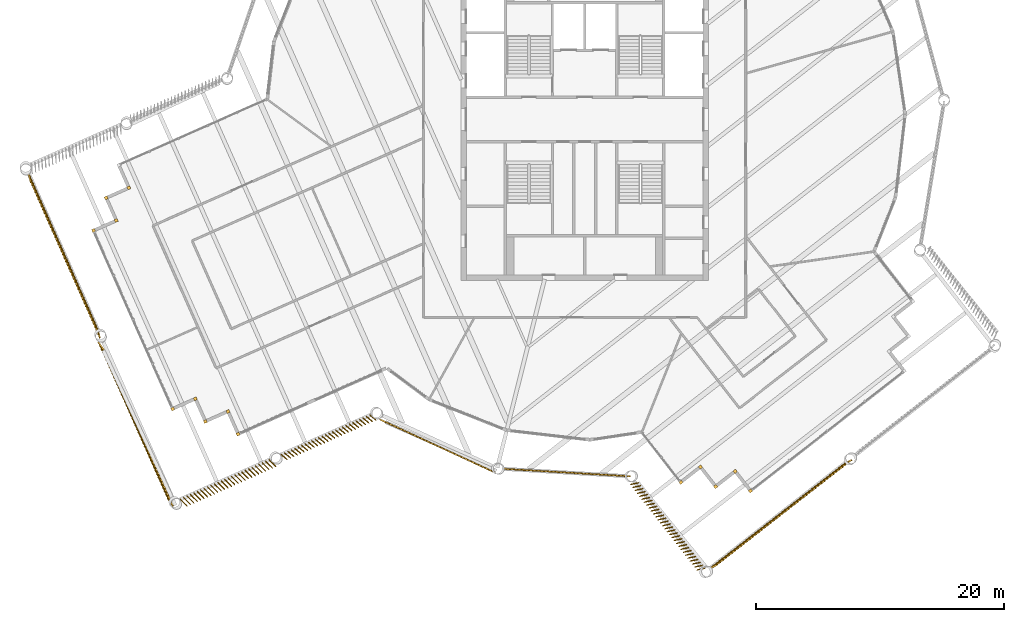
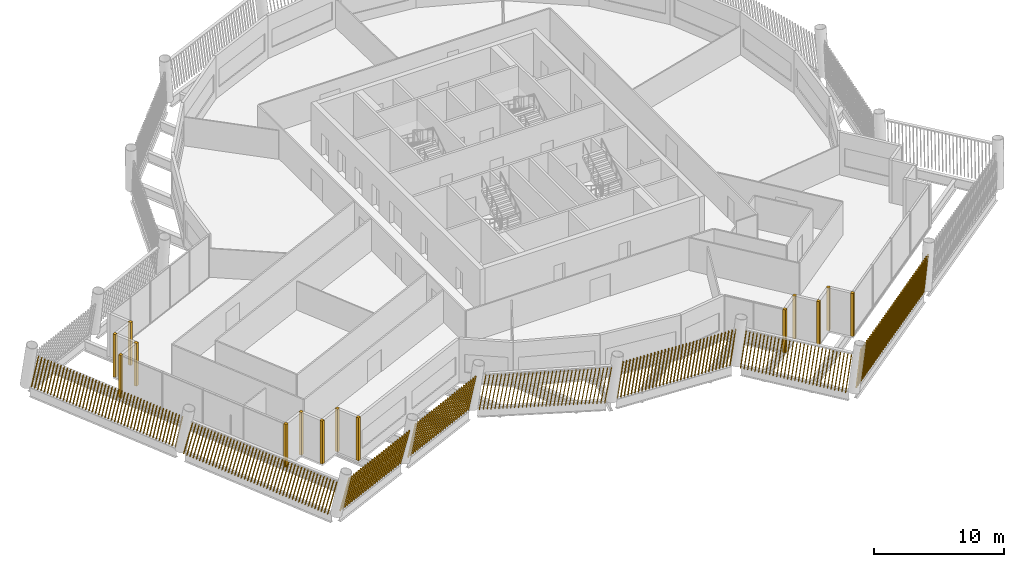
# One storey, part 24 of 28: 22 shading devices.
"""IFC4 building model written with IfcOpenShell, lengths in metres."""

from ifc_helpers import new_model, si_unit, direction, frame, frame_2d, origin, origin_2d, place, context, subcontext, project, spatial, rectangle, composite_profile, extrude, material, type_object, element, save


model = new_model("IFC4")

# Units and contexts
model_context = context("Model", 3, precision=1e-05, world=origin(), true_north=direction((0.0, 1.0)))
body_context = subcontext(model_context, "Body", "Model", "MODEL_VIEW")
ifc_project = project(units=[si_unit("LENGTHUNIT", "METRE"), si_unit("AREAUNIT", "SQUARE_METRE"), si_unit("VOLUMEUNIT", "CUBIC_METRE"), si_unit("PLANEANGLEUNIT", "RADIAN"), si_unit("MASSUNIT", "GRAM", prefix="KILO")], contexts=[model_context])

# Site, building, storey
site_placement = place(None, origin())
site = spatial("IfcSite", under=ifc_project, at=site_placement, CompositionType="ELEMENT")
building_placement = place(site_placement, origin())
building = spatial("IfcBuilding", under=site, at=building_placement, Name="Tarsis Ring Headquarters", CompositionType="ELEMENT")
storey_placement = place(building_placement, frame((0.0, 0.0, 381.800048828125)))
storey = spatial("IfcBuildingStorey", under=building, at=storey_placement, Name="L90", CompositionType="ELEMENT", Elevation=381.800048828125)

# Shading devices
ifc_material = material(Name="Terracotta baguette", Category="masonry")
shading_device_type_1 = type_object("IfcShadingDeviceType", Name="Terracotta baguette screen", PredefinedType="USERDEFINED", material=ifc_material)
shading_device_1_placement = place(storey_placement, frame((-6.567626953125, -28.205322265625, 0.0), z_axis=(0.0, 0.0, 1.0), x_axis=(0.99825104937, -0.059239456326, 0.0)))
element("IfcShadingDevice", 1, at=shading_device_1_placement, inside=storey, type_object=shading_device_type_1, Name="Baguette screen L90-00", ObjectType="Terracotta baguette screen", PredefinedType="USERDEFINED", context=body_context, shape_type="SweptSolid", body=[
    extrude(composite_profile([rectangle(XDim=0.06005859375, YDim=0.1201171875, at=frame_2d((0.030029296875, 0.0))), rectangle(XDim=0.06005859375, YDim=0.1201171875, at=frame_2d((0.33349609375, 0.0))), rectangle(XDim=0.06005859375, YDim=0.1201171875, at=frame_2d((0.636962890625, 0.0))), rectangle(XDim=0.06005859375, YDim=0.1201171875, at=frame_2d((0.9404296875, 0.0))), rectangle(XDim=0.06005859375, YDim=0.1201171875, at=frame_2d((1.243896484375, 0.0))), rectangle(XDim=0.06005859375, YDim=0.1201171875, at=frame_2d((1.54736328125, 0.0))), rectangle(XDim=0.06005859375, YDim=0.1201171875, at=frame_2d((1.850830078125, 0.0))), rectangle(XDim=0.06005859375, YDim=0.1201171875, at=frame_2d((2.154296875, 0.0))), rectangle(XDim=0.06005859375, YDim=0.1201171875, at=frame_2d((2.4580078125, 0.0))), rectangle(XDim=0.06005859375, YDim=0.1201171875, at=frame_2d((2.761474609375, 0.0))), rectangle(XDim=0.06005859375, YDim=0.1201171875, at=frame_2d((3.06494140625, 0.0))), rectangle(XDim=0.06005859375, YDim=0.1201171875, at=frame_2d((3.368408203125, 0.0))), rectangle(XDim=0.06005859375, YDim=0.1201171875, at=frame_2d((3.671875, 0.0))), rectangle(XDim=0.06005859375, YDim=0.1201171875, at=frame_2d((3.975341796875, 0.0))), rectangle(XDim=0.06005859375, YDim=0.1201171875, at=frame_2d((4.27880859375, 0.0))), rectangle(XDim=0.06005859375, YDim=0.1201171875, at=frame_2d((4.582275390625, 0.0))), rectangle(XDim=0.06005859375, YDim=0.1201171875, at=frame_2d((4.8857421875, 0.0))), rectangle(XDim=0.06005859375, YDim=0.1201171875, at=frame_2d((5.189208984375, 0.0))), rectangle(XDim=0.06005859375, YDim=0.1201171875, at=frame_2d((5.49267578125, 0.0))), rectangle(XDim=0.06005859375, YDim=0.1201171875, at=frame_2d((5.796142578125, 0.0))), rectangle(XDim=0.06005859375, YDim=0.1201171875, at=frame_2d((6.099609375, 0.0))), rectangle(XDim=0.06005859375, YDim=0.1201171875, at=frame_2d((6.403076171875, 0.0))), rectangle(XDim=0.06005859375, YDim=0.1201171875, at=frame_2d((6.70654296875, 0.0))), rectangle(XDim=0.06005859375, YDim=0.1201171875, at=frame_2d((7.010009765625, 0.0))), rectangle(XDim=0.06005859375, YDim=0.1201171875, at=frame_2d((7.3134765625, 0.0))), rectangle(XDim=0.06005859375, YDim=0.1201171875, at=frame_2d((7.6171875, 0.0))), rectangle(XDim=0.06005859375, YDim=0.1201171875, at=frame_2d((7.920654296875, 0.0))), rectangle(XDim=0.06005859375, YDim=0.1201171875, at=frame_2d((8.22412109375, 0.0))), rectangle(XDim=0.06005859375, YDim=0.1201171875, at=frame_2d((8.527587890625, 0.0))), rectangle(XDim=0.06005859375, YDim=0.1201171875, at=frame_2d((8.8310546875, 0.0))), rectangle(XDim=0.06005859375, YDim=0.1201171875, at=frame_2d((9.134521484375, 0.0))), rectangle(XDim=0.06005859375, YDim=0.1201171875, at=frame_2d((9.43798828125, 0.0))), rectangle(XDim=0.06005859375, YDim=0.1201171875, at=frame_2d((9.741455078125, 0.0)))]), origin(), (0.156000026989, 0.001418800041, 0.987756031916), 3.3212890625),
])
shading_device_2_placement = place(storey_placement, frame((3.697509765625, -29.438720703125, 0.0), z_axis=(0.0, 0.0, 1.0), x_axis=(0.614563402934, -0.788869478413, 0.0)))
element("IfcShadingDevice", 2, at=shading_device_2_placement, inside=storey, type_object=shading_device_type_1, Name="Baguette screen L90-01", ObjectType="Terracotta baguette screen", PredefinedType="USERDEFINED", context=body_context, shape_type="SweptSolid", body=[
    extrude(composite_profile([rectangle(XDim=0.06005859375, YDim=0.1201171875, at=frame_2d((0.030029296875, 0.0))), rectangle(XDim=0.06005859375, YDim=0.1201171875, at=frame_2d((0.33154296875, 0.0))), rectangle(XDim=0.06005859375, YDim=0.1201171875, at=frame_2d((0.633056640625, 0.0))), rectangle(XDim=0.06005859375, YDim=0.1201171875, at=frame_2d((0.9345703125, 0.0))), rectangle(XDim=0.06005859375, YDim=0.1201171875, at=frame_2d((1.236083984375, 0.0))), rectangle(XDim=0.06005859375, YDim=0.1201171875, at=frame_2d((1.53759765625, 0.0))), rectangle(XDim=0.06005859375, YDim=0.1201171875, at=frame_2d((1.839111328125, 0.0))), rectangle(XDim=0.06005859375, YDim=0.1201171875, at=frame_2d((2.140625, 0.0))), rectangle(XDim=0.06005859375, YDim=0.1201171875, at=frame_2d((2.442138671875, 0.0))), rectangle(XDim=0.06005859375, YDim=0.1201171875, at=frame_2d((2.74365234375, 0.0))), rectangle(XDim=0.06005859375, YDim=0.1201171875, at=frame_2d((3.045166015625, 0.0))), rectangle(XDim=0.06005859375, YDim=0.1201171875, at=frame_2d((3.3466796875, 0.0))), rectangle(XDim=0.06005859375, YDim=0.1201171875, at=frame_2d((3.648193359375, 0.0))), rectangle(XDim=0.06005859375, YDim=0.1201171875, at=frame_2d((3.94970703125, 0.0))), rectangle(XDim=0.06005859375, YDim=0.1201171875, at=frame_2d((4.251220703125, 0.0))), rectangle(XDim=0.06005859375, YDim=0.1201171875, at=frame_2d((4.552978515625, 0.0))), rectangle(XDim=0.06005859375, YDim=0.1201171875, at=frame_2d((4.8544921875, 0.0))), rectangle(XDim=0.06005859375, YDim=0.1201171875, at=frame_2d((5.156005859375, 0.0))), rectangle(XDim=0.06005859375, YDim=0.1201171875, at=frame_2d((5.45751953125, 0.0))), rectangle(XDim=0.06005859375, YDim=0.1201171875, at=frame_2d((5.759033203125, 0.0))), rectangle(XDim=0.06005859375, YDim=0.1201171875, at=frame_2d((6.060546875, 0.0))), rectangle(XDim=0.06005859375, YDim=0.1201171875, at=frame_2d((6.362060546875, 0.0))), rectangle(XDim=0.06005859375, YDim=0.1201171875, at=frame_2d((6.66357421875, 0.0))), rectangle(XDim=0.06005859375, YDim=0.1201171875, at=frame_2d((6.965087890625, 0.0))), rectangle(XDim=0.06005859375, YDim=0.1201171875, at=frame_2d((7.2666015625, 0.0))), rectangle(XDim=0.06005859375, YDim=0.1201171875, at=frame_2d((7.568115234375, 0.0))), rectangle(XDim=0.06005859375, YDim=0.1201171875, at=frame_2d((7.86962890625, 0.0))), rectangle(XDim=0.06005859375, YDim=0.1201171875, at=frame_2d((8.171142578125, 0.0))), rectangle(XDim=0.06005859375, YDim=0.1201171875, at=frame_2d((8.47265625, 0.0))), rectangle(XDim=0.06005859375, YDim=0.1201171875, at=frame_2d((8.774169921875, 0.0)))]), origin(), (0.081075931396, 0.163392447119, 0.983224085126), 3.33642578125),
])
shading_device_3_placement = place(storey_placement, frame((10.10595703125, -36.240966796875, 0.0), z_axis=(0.0, 0.0, 1.0), x_axis=(0.788868445262, 0.614570801783, 0.0)))
element("IfcShadingDevice", 3, at=shading_device_3_placement, inside=storey, type_object=shading_device_type_1, Name="Baguette screen L90-02", ObjectType="Terracotta baguette screen", PredefinedType="USERDEFINED", context=body_context, shape_type="SweptSolid", body=[
    extrude(composite_profile([rectangle(XDim=0.06005859375, YDim=0.1201171875, at=frame_2d((0.030029296875, 0.0))), rectangle(XDim=0.06005859375, YDim=0.1201171875, at=frame_2d((0.33544921875, 0.0))), rectangle(XDim=0.06005859375, YDim=0.1201171875, at=frame_2d((0.640625, 0.0))), rectangle(XDim=0.06005859375, YDim=0.1201171875, at=frame_2d((0.946044921875, 0.0))), rectangle(XDim=0.06005859375, YDim=0.1201171875, at=frame_2d((1.25146484375, 0.0))), rectangle(XDim=0.06005859375, YDim=0.1201171875, at=frame_2d((1.556640625, 0.0))), rectangle(XDim=0.06005859375, YDim=0.1201171875, at=frame_2d((1.862060546875, 0.0))), rectangle(XDim=0.06005859375, YDim=0.1201171875, at=frame_2d((2.16748046875, 0.0))), rectangle(XDim=0.06005859375, YDim=0.1201171875, at=frame_2d((2.47265625, 0.0))), rectangle(XDim=0.06005859375, YDim=0.1201171875, at=frame_2d((2.778076171875, 0.0))), rectangle(XDim=0.06005859375, YDim=0.1201171875, at=frame_2d((3.08349609375, 0.0))), rectangle(XDim=0.06005859375, YDim=0.1201171875, at=frame_2d((3.388671875, 0.0))), rectangle(XDim=0.06005859375, YDim=0.1201171875, at=frame_2d((3.694091796875, 0.0))), rectangle(XDim=0.06005859375, YDim=0.1201171875, at=frame_2d((3.99951171875, 0.0))), rectangle(XDim=0.06005859375, YDim=0.1201171875, at=frame_2d((4.3046875, 0.0))), rectangle(XDim=0.06005859375, YDim=0.1201171875, at=frame_2d((4.610107421875, 0.0))), rectangle(XDim=0.06005859375, YDim=0.1201171875, at=frame_2d((4.91552734375, 0.0))), rectangle(XDim=0.06005859375, YDim=0.1201171875, at=frame_2d((5.220703125, 0.0))), rectangle(XDim=0.06005859375, YDim=0.1201171875, at=frame_2d((5.526123046875, 0.0))), rectangle(XDim=0.06005859375, YDim=0.1201171875, at=frame_2d((5.83154296875, 0.0))), rectangle(XDim=0.06005859375, YDim=0.1201171875, at=frame_2d((6.13671875, 0.0))), rectangle(XDim=0.06005859375, YDim=0.1201171875, at=frame_2d((6.442138671875, 0.0))), rectangle(XDim=0.06005859375, YDim=0.1201171875, at=frame_2d((6.74755859375, 0.0))), rectangle(XDim=0.06005859375, YDim=0.1201171875, at=frame_2d((7.052734375, 0.0))), rectangle(XDim=0.06005859375, YDim=0.1201171875, at=frame_2d((7.358154296875, 0.0))), rectangle(XDim=0.06005859375, YDim=0.1201171875, at=frame_2d((7.66357421875, 0.0))), rectangle(XDim=0.06005859375, YDim=0.1201171875, at=frame_2d((7.96875, 0.0))), rectangle(XDim=0.06005859375, YDim=0.1201171875, at=frame_2d((8.274169921875, 0.0))), rectangle(XDim=0.06005859375, YDim=0.1201171875, at=frame_2d((8.57958984375, 0.0))), rectangle(XDim=0.06005859375, YDim=0.1201171875, at=frame_2d((8.884765625, 0.0))), rectangle(XDim=0.06005859375, YDim=0.1201171875, at=frame_2d((9.190185546875, 0.0))), rectangle(XDim=0.06005859375, YDim=0.1201171875, at=frame_2d((9.49560546875, 0.0))), rectangle(XDim=0.06005859375, YDim=0.1201171875, at=frame_2d((9.80078125, 0.0))), rectangle(XDim=0.06005859375, YDim=0.1201171875, at=frame_2d((10.106201171875, 0.0))), rectangle(XDim=0.06005859375, YDim=0.1201171875, at=frame_2d((10.41162109375, 0.0))), rectangle(XDim=0.06005859375, YDim=0.1201171875, at=frame_2d((10.716796875, 0.0))), rectangle(XDim=0.06005859375, YDim=0.1201171875, at=frame_2d((11.022216796875, 0.0))), rectangle(XDim=0.06005859375, YDim=0.1201171875, at=frame_2d((11.32763671875, 0.0))), rectangle(XDim=0.06005859375, YDim=0.1201171875, at=frame_2d((11.6328125, 0.0))), rectangle(XDim=0.06005859375, YDim=0.1201171875, at=frame_2d((11.938232421875, 0.0))), rectangle(XDim=0.06005859375, YDim=0.1201171875, at=frame_2d((12.24365234375, 0.0))), rectangle(XDim=0.06005859375, YDim=0.1201171875, at=frame_2d((12.548828125, 0.0))), rectangle(XDim=0.06005859375, YDim=0.1201171875, at=frame_2d((12.854248046875, 0.0))), rectangle(XDim=0.06005859375, YDim=0.1201171875, at=frame_2d((13.15966796875, 0.0))), rectangle(XDim=0.06005859375, YDim=0.1201171875, at=frame_2d((13.46484375, 0.0))), rectangle(XDim=0.06005859375, YDim=0.1201171875, at=frame_2d((13.770263671875, 0.0)))]), origin(), (0.189280726889, -0.038458815408, 0.981169570434), 3.343505859375),
])
shading_device_4_placement = place(storey_placement, frame((-44.922119140625, -4.281982421875, 0.0), z_axis=(0.0, 0.0, 1.0), x_axis=(0.405466607696, -0.914108801415, 0.0)))
element("IfcShadingDevice", 4, at=shading_device_4_placement, inside=storey, type_object=shading_device_type_1, Name="Baguette screen L90-15", ObjectType="Terracotta baguette screen", PredefinedType="USERDEFINED", context=body_context, shape_type="SweptSolid", body=[
    extrude(composite_profile([rectangle(XDim=0.06005859375, YDim=0.1201171875, at=frame_2d((0.030029296875, 0.0))), rectangle(XDim=0.06005859375, YDim=0.1201171875, at=frame_2d((0.33544921875, 0.0))), rectangle(XDim=0.06005859375, YDim=0.1201171875, at=frame_2d((0.640625, 0.0))), rectangle(XDim=0.06005859375, YDim=0.1201171875, at=frame_2d((0.946044921875, 0.0))), rectangle(XDim=0.06005859375, YDim=0.1201171875, at=frame_2d((1.25146484375, 0.0))), rectangle(XDim=0.06005859375, YDim=0.1201171875, at=frame_2d((1.556640625, 0.0))), rectangle(XDim=0.06005859375, YDim=0.1201171875, at=frame_2d((1.862060546875, 0.0))), rectangle(XDim=0.06005859375, YDim=0.1201171875, at=frame_2d((2.16748046875, 0.0))), rectangle(XDim=0.06005859375, YDim=0.1201171875, at=frame_2d((2.47265625, 0.0))), rectangle(XDim=0.06005859375, YDim=0.1201171875, at=frame_2d((2.778076171875, 0.0))), rectangle(XDim=0.06005859375, YDim=0.1201171875, at=frame_2d((3.08349609375, 0.0))), rectangle(XDim=0.06005859375, YDim=0.1201171875, at=frame_2d((3.388671875, 0.0))), rectangle(XDim=0.06005859375, YDim=0.1201171875, at=frame_2d((3.694091796875, 0.0))), rectangle(XDim=0.06005859375, YDim=0.1201171875, at=frame_2d((3.99951171875, 0.0))), rectangle(XDim=0.06005859375, YDim=0.1201171875, at=frame_2d((4.3046875, 0.0))), rectangle(XDim=0.06005859375, YDim=0.1201171875, at=frame_2d((4.610107421875, 0.0))), rectangle(XDim=0.06005859375, YDim=0.1201171875, at=frame_2d((4.91552734375, 0.0))), rectangle(XDim=0.06005859375, YDim=0.1201171875, at=frame_2d((5.220703125, 0.0))), rectangle(XDim=0.06005859375, YDim=0.1201171875, at=frame_2d((5.526123046875, 0.0))), rectangle(XDim=0.06005859375, YDim=0.1201171875, at=frame_2d((5.83154296875, 0.0))), rectangle(XDim=0.06005859375, YDim=0.1201171875, at=frame_2d((6.13671875, 0.0))), rectangle(XDim=0.06005859375, YDim=0.1201171875, at=frame_2d((6.442138671875, 0.0))), rectangle(XDim=0.06005859375, YDim=0.1201171875, at=frame_2d((6.74755859375, 0.0))), rectangle(XDim=0.06005859375, YDim=0.1201171875, at=frame_2d((7.052734375, 0.0))), rectangle(XDim=0.06005859375, YDim=0.1201171875, at=frame_2d((7.358154296875, 0.0))), rectangle(XDim=0.06005859375, YDim=0.1201171875, at=frame_2d((7.66357421875, 0.0))), rectangle(XDim=0.06005859375, YDim=0.1201171875, at=frame_2d((7.96875, 0.0))), rectangle(XDim=0.06005859375, YDim=0.1201171875, at=frame_2d((8.274169921875, 0.0))), rectangle(XDim=0.06005859375, YDim=0.1201171875, at=frame_2d((8.57958984375, 0.0))), rectangle(XDim=0.06005859375, YDim=0.1201171875, at=frame_2d((8.884765625, 0.0))), rectangle(XDim=0.06005859375, YDim=0.1201171875, at=frame_2d((9.190185546875, 0.0))), rectangle(XDim=0.06005859375, YDim=0.1201171875, at=frame_2d((9.49560546875, 0.0))), rectangle(XDim=0.06005859375, YDim=0.1201171875, at=frame_2d((9.80078125, 0.0))), rectangle(XDim=0.06005859375, YDim=0.1201171875, at=frame_2d((10.106201171875, 0.0))), rectangle(XDim=0.06005859375, YDim=0.1201171875, at=frame_2d((10.41162109375, 0.0))), rectangle(XDim=0.06005859375, YDim=0.1201171875, at=frame_2d((10.716796875, 0.0))), rectangle(XDim=0.06005859375, YDim=0.1201171875, at=frame_2d((11.022216796875, 0.0))), rectangle(XDim=0.06005859375, YDim=0.1201171875, at=frame_2d((11.32763671875, 0.0))), rectangle(XDim=0.06005859375, YDim=0.1201171875, at=frame_2d((11.6328125, 0.0))), rectangle(XDim=0.06005859375, YDim=0.1201171875, at=frame_2d((11.938232421875, 0.0))), rectangle(XDim=0.06005859375, YDim=0.1201171875, at=frame_2d((12.24365234375, 0.0))), rectangle(XDim=0.06005859375, YDim=0.1201171875, at=frame_2d((12.548828125, 0.0))), rectangle(XDim=0.06005859375, YDim=0.1201171875, at=frame_2d((12.854248046875, 0.0))), rectangle(XDim=0.06005859375, YDim=0.1201171875, at=frame_2d((13.15966796875, 0.0))), rectangle(XDim=0.06005859375, YDim=0.1201171875, at=frame_2d((13.46484375, 0.0))), rectangle(XDim=0.06005859375, YDim=0.1201171875, at=frame_2d((13.770263671875, 0.0)))]), origin(), (0.230608645647, -0.037720847619, 0.972315170203), 3.3740234375),
])
shading_device_5_placement = place(storey_placement, frame((-39.26416015625, -17.962890625, 0.0), z_axis=(0.0, 0.0, 1.0), x_axis=(0.405466607696, -0.914108801415, 0.0)))
element("IfcShadingDevice", 5, at=shading_device_5_placement, inside=storey, type_object=shading_device_type_1, Name="Baguette screen L90-16", ObjectType="Terracotta baguette screen", PredefinedType="USERDEFINED", context=body_context, shape_type="SweptSolid", body=[
    extrude(composite_profile([rectangle(XDim=0.06005859375, YDim=0.1201171875, at=frame_2d((0.030029296875, 0.0))), rectangle(XDim=0.06005859375, YDim=0.1201171875, at=frame_2d((0.33544921875, 0.0))), rectangle(XDim=0.06005859375, YDim=0.1201171875, at=frame_2d((0.640625, 0.0))), rectangle(XDim=0.06005859375, YDim=0.1201171875, at=frame_2d((0.946044921875, 0.0))), rectangle(XDim=0.06005859375, YDim=0.1201171875, at=frame_2d((1.25146484375, 0.0))), rectangle(XDim=0.06005859375, YDim=0.1201171875, at=frame_2d((1.556640625, 0.0))), rectangle(XDim=0.06005859375, YDim=0.1201171875, at=frame_2d((1.862060546875, 0.0))), rectangle(XDim=0.06005859375, YDim=0.1201171875, at=frame_2d((2.16748046875, 0.0))), rectangle(XDim=0.06005859375, YDim=0.1201171875, at=frame_2d((2.47265625, 0.0))), rectangle(XDim=0.06005859375, YDim=0.1201171875, at=frame_2d((2.778076171875, 0.0))), rectangle(XDim=0.06005859375, YDim=0.1201171875, at=frame_2d((3.08349609375, 0.0))), rectangle(XDim=0.06005859375, YDim=0.1201171875, at=frame_2d((3.388671875, 0.0))), rectangle(XDim=0.06005859375, YDim=0.1201171875, at=frame_2d((3.694091796875, 0.0))), rectangle(XDim=0.06005859375, YDim=0.1201171875, at=frame_2d((3.99951171875, 0.0))), rectangle(XDim=0.06005859375, YDim=0.1201171875, at=frame_2d((4.3046875, 0.0))), rectangle(XDim=0.06005859375, YDim=0.1201171875, at=frame_2d((4.610107421875, 0.0))), rectangle(XDim=0.06005859375, YDim=0.1201171875, at=frame_2d((4.91552734375, 0.0))), rectangle(XDim=0.06005859375, YDim=0.1201171875, at=frame_2d((5.220703125, 0.0))), rectangle(XDim=0.06005859375, YDim=0.1201171875, at=frame_2d((5.526123046875, 0.0))), rectangle(XDim=0.06005859375, YDim=0.1201171875, at=frame_2d((5.83154296875, 0.0))), rectangle(XDim=0.06005859375, YDim=0.1201171875, at=frame_2d((6.13671875, 0.0))), rectangle(XDim=0.06005859375, YDim=0.1201171875, at=frame_2d((6.442138671875, 0.0))), rectangle(XDim=0.06005859375, YDim=0.1201171875, at=frame_2d((6.74755859375, 0.0))), rectangle(XDim=0.06005859375, YDim=0.1201171875, at=frame_2d((7.052734375, 0.0))), rectangle(XDim=0.06005859375, YDim=0.1201171875, at=frame_2d((7.358154296875, 0.0))), rectangle(XDim=0.06005859375, YDim=0.1201171875, at=frame_2d((7.66357421875, 0.0))), rectangle(XDim=0.06005859375, YDim=0.1201171875, at=frame_2d((7.96875, 0.0))), rectangle(XDim=0.06005859375, YDim=0.1201171875, at=frame_2d((8.274169921875, 0.0))), rectangle(XDim=0.06005859375, YDim=0.1201171875, at=frame_2d((8.57958984375, 0.0))), rectangle(XDim=0.06005859375, YDim=0.1201171875, at=frame_2d((8.884765625, 0.0))), rectangle(XDim=0.06005859375, YDim=0.1201171875, at=frame_2d((9.190185546875, 0.0))), rectangle(XDim=0.06005859375, YDim=0.1201171875, at=frame_2d((9.49560546875, 0.0))), rectangle(XDim=0.06005859375, YDim=0.1201171875, at=frame_2d((9.80078125, 0.0))), rectangle(XDim=0.06005859375, YDim=0.1201171875, at=frame_2d((10.106201171875, 0.0))), rectangle(XDim=0.06005859375, YDim=0.1201171875, at=frame_2d((10.41162109375, 0.0))), rectangle(XDim=0.06005859375, YDim=0.1201171875, at=frame_2d((10.716796875, 0.0))), rectangle(XDim=0.06005859375, YDim=0.1201171875, at=frame_2d((11.022216796875, 0.0))), rectangle(XDim=0.06005859375, YDim=0.1201171875, at=frame_2d((11.32763671875, 0.0))), rectangle(XDim=0.06005859375, YDim=0.1201171875, at=frame_2d((11.6328125, 0.0))), rectangle(XDim=0.06005859375, YDim=0.1201171875, at=frame_2d((11.938232421875, 0.0))), rectangle(XDim=0.06005859375, YDim=0.1201171875, at=frame_2d((12.24365234375, 0.0))), rectangle(XDim=0.06005859375, YDim=0.1201171875, at=frame_2d((12.548828125, 0.0))), rectangle(XDim=0.06005859375, YDim=0.1201171875, at=frame_2d((12.854248046875, 0.0))), rectangle(XDim=0.06005859375, YDim=0.1201171875, at=frame_2d((13.15966796875, 0.0))), rectangle(XDim=0.06005859375, YDim=0.1201171875, at=frame_2d((13.46484375, 0.0))), rectangle(XDim=0.06005859375, YDim=0.1201171875, at=frame_2d((13.770263671875, 0.0)))]), origin(), (0.231795846605, 0.041896071259, 0.971861823877), 3.37548828125),
])
shading_device_6_placement = place(storey_placement, frame((-32.666259765625, -30.679931640625, 0.0), z_axis=(0.0, 0.0, 1.0), x_axis=(0.914112703905, 0.405462184874, 0.0)))
element("IfcShadingDevice", 6, at=shading_device_6_placement, inside=storey, type_object=shading_device_type_1, Name="Baguette screen L90-17", ObjectType="Terracotta baguette screen", PredefinedType="USERDEFINED", context=body_context, shape_type="SweptSolid", body=[
    extrude(composite_profile([rectangle(XDim=0.06005859375, YDim=0.1201171875, at=frame_2d((0.030029296875, 0.0))), rectangle(XDim=0.06005859375, YDim=0.1201171875, at=frame_2d((0.33154296875, 0.0))), rectangle(XDim=0.06005859375, YDim=0.1201171875, at=frame_2d((0.63330078125, 0.0))), rectangle(XDim=0.06005859375, YDim=0.1201171875, at=frame_2d((0.934814453125, 0.0))), rectangle(XDim=0.06005859375, YDim=0.1201171875, at=frame_2d((1.236572265625, 0.0))), rectangle(XDim=0.06005859375, YDim=0.1201171875, at=frame_2d((1.5380859375, 0.0))), rectangle(XDim=0.06005859375, YDim=0.1201171875, at=frame_2d((1.83984375, 0.0))), rectangle(XDim=0.06005859375, YDim=0.1201171875, at=frame_2d((2.141357421875, 0.0))), rectangle(XDim=0.06005859375, YDim=0.1201171875, at=frame_2d((2.443115234375, 0.0))), rectangle(XDim=0.06005859375, YDim=0.1201171875, at=frame_2d((2.74462890625, 0.0))), rectangle(XDim=0.06005859375, YDim=0.1201171875, at=frame_2d((3.04638671875, 0.0))), rectangle(XDim=0.06005859375, YDim=0.1201171875, at=frame_2d((3.347900390625, 0.0))), rectangle(XDim=0.06005859375, YDim=0.1201171875, at=frame_2d((3.649658203125, 0.0))), rectangle(XDim=0.06005859375, YDim=0.1201171875, at=frame_2d((3.951171875, 0.0))), rectangle(XDim=0.06005859375, YDim=0.1201171875, at=frame_2d((4.252685546875, 0.0))), rectangle(XDim=0.06005859375, YDim=0.1201171875, at=frame_2d((4.554443359375, 0.0))), rectangle(XDim=0.06005859375, YDim=0.1201171875, at=frame_2d((4.85595703125, 0.0))), rectangle(XDim=0.06005859375, YDim=0.1201171875, at=frame_2d((5.15771484375, 0.0))), rectangle(XDim=0.06005859375, YDim=0.1201171875, at=frame_2d((5.459228515625, 0.0))), rectangle(XDim=0.06005859375, YDim=0.1201171875, at=frame_2d((5.760986328125, 0.0))), rectangle(XDim=0.06005859375, YDim=0.1201171875, at=frame_2d((6.0625, 0.0))), rectangle(XDim=0.06005859375, YDim=0.1201171875, at=frame_2d((6.3642578125, 0.0))), rectangle(XDim=0.06005859375, YDim=0.1201171875, at=frame_2d((6.665771484375, 0.0))), rectangle(XDim=0.06005859375, YDim=0.1201171875, at=frame_2d((6.967529296875, 0.0))), rectangle(XDim=0.06005859375, YDim=0.1201171875, at=frame_2d((7.26904296875, 0.0))), rectangle(XDim=0.06005859375, YDim=0.1201171875, at=frame_2d((7.57080078125, 0.0))), rectangle(XDim=0.06005859375, YDim=0.1201171875, at=frame_2d((7.872314453125, 0.0)))]), origin(), (0.081723750148, -0.206168311987, 0.975097869854), 3.3642578125),
])
shading_device_7_placement = place(storey_placement, frame((-24.528564453125, -27.0703125, 0.0), z_axis=(0.0, 0.0, 1.0), x_axis=(0.914112703905, 0.405462184874, 0.0)))
element("IfcShadingDevice", 7, at=shading_device_7_placement, inside=storey, type_object=shading_device_type_1, Name="Baguette screen L90-18", ObjectType="Terracotta baguette screen", PredefinedType="USERDEFINED", context=body_context, shape_type="SweptSolid", body=[
    extrude(composite_profile([rectangle(XDim=0.06005859375, YDim=0.1201171875, at=frame_2d((0.030029296875, 0.0))), rectangle(XDim=0.06005859375, YDim=0.1201171875, at=frame_2d((0.33154296875, 0.0))), rectangle(XDim=0.06005859375, YDim=0.1201171875, at=frame_2d((0.63330078125, 0.0))), rectangle(XDim=0.06005859375, YDim=0.1201171875, at=frame_2d((0.934814453125, 0.0))), rectangle(XDim=0.06005859375, YDim=0.1201171875, at=frame_2d((1.236572265625, 0.0))), rectangle(XDim=0.06005859375, YDim=0.1201171875, at=frame_2d((1.5380859375, 0.0))), rectangle(XDim=0.06005859375, YDim=0.1201171875, at=frame_2d((1.83984375, 0.0))), rectangle(XDim=0.06005859375, YDim=0.1201171875, at=frame_2d((2.141357421875, 0.0))), rectangle(XDim=0.06005859375, YDim=0.1201171875, at=frame_2d((2.443115234375, 0.0))), rectangle(XDim=0.06005859375, YDim=0.1201171875, at=frame_2d((2.74462890625, 0.0))), rectangle(XDim=0.06005859375, YDim=0.1201171875, at=frame_2d((3.04638671875, 0.0))), rectangle(XDim=0.06005859375, YDim=0.1201171875, at=frame_2d((3.347900390625, 0.0))), rectangle(XDim=0.06005859375, YDim=0.1201171875, at=frame_2d((3.649658203125, 0.0))), rectangle(XDim=0.06005859375, YDim=0.1201171875, at=frame_2d((3.951171875, 0.0))), rectangle(XDim=0.06005859375, YDim=0.1201171875, at=frame_2d((4.252685546875, 0.0))), rectangle(XDim=0.06005859375, YDim=0.1201171875, at=frame_2d((4.554443359375, 0.0))), rectangle(XDim=0.06005859375, YDim=0.1201171875, at=frame_2d((4.85595703125, 0.0))), rectangle(XDim=0.06005859375, YDim=0.1201171875, at=frame_2d((5.15771484375, 0.0))), rectangle(XDim=0.06005859375, YDim=0.1201171875, at=frame_2d((5.459228515625, 0.0))), rectangle(XDim=0.06005859375, YDim=0.1201171875, at=frame_2d((5.760986328125, 0.0))), rectangle(XDim=0.06005859375, YDim=0.1201171875, at=frame_2d((6.0625, 0.0))), rectangle(XDim=0.06005859375, YDim=0.1201171875, at=frame_2d((6.3642578125, 0.0))), rectangle(XDim=0.06005859375, YDim=0.1201171875, at=frame_2d((6.665771484375, 0.0))), rectangle(XDim=0.06005859375, YDim=0.1201171875, at=frame_2d((6.967529296875, 0.0))), rectangle(XDim=0.06005859375, YDim=0.1201171875, at=frame_2d((7.26904296875, 0.0))), rectangle(XDim=0.06005859375, YDim=0.1201171875, at=frame_2d((7.57080078125, 0.0))), rectangle(XDim=0.06005859375, YDim=0.1201171875, at=frame_2d((7.872314453125, 0.0)))]), origin(), (0.082011375856, -0.159548244154, 0.983777663915), 3.334716796875),
])
shading_device_8_placement = place(storey_placement, frame((-16.551025390625, -24.213623046875, 0.0), z_axis=(0.0, 0.0, 1.0), x_axis=(0.9080324797, -0.418888194878, 0.0)))
element("IfcShadingDevice", 8, at=shading_device_8_placement, inside=storey, type_object=shading_device_type_1, Name="Baguette screen L90-19", ObjectType="Terracotta baguette screen", PredefinedType="USERDEFINED", context=body_context, shape_type="SweptSolid", body=[
    extrude(composite_profile([rectangle(XDim=0.06005859375, YDim=0.1201171875, at=frame_2d((0.030029296875, 0.0))), rectangle(XDim=0.06005859375, YDim=0.1201171875, at=frame_2d((0.33349609375, 0.0))), rectangle(XDim=0.06005859375, YDim=0.1201171875, at=frame_2d((0.636962890625, 0.0))), rectangle(XDim=0.06005859375, YDim=0.1201171875, at=frame_2d((0.9404296875, 0.0))), rectangle(XDim=0.06005859375, YDim=0.1201171875, at=frame_2d((1.243896484375, 0.0))), rectangle(XDim=0.06005859375, YDim=0.1201171875, at=frame_2d((1.54736328125, 0.0))), rectangle(XDim=0.06005859375, YDim=0.1201171875, at=frame_2d((1.85107421875, 0.0))), rectangle(XDim=0.06005859375, YDim=0.1201171875, at=frame_2d((2.154541015625, 0.0))), rectangle(XDim=0.06005859375, YDim=0.1201171875, at=frame_2d((2.4580078125, 0.0))), rectangle(XDim=0.06005859375, YDim=0.1201171875, at=frame_2d((2.761474609375, 0.0))), rectangle(XDim=0.06005859375, YDim=0.1201171875, at=frame_2d((3.06494140625, 0.0))), rectangle(XDim=0.06005859375, YDim=0.1201171875, at=frame_2d((3.368408203125, 0.0))), rectangle(XDim=0.06005859375, YDim=0.1201171875, at=frame_2d((3.671875, 0.0))), rectangle(XDim=0.06005859375, YDim=0.1201171875, at=frame_2d((3.975341796875, 0.0))), rectangle(XDim=0.06005859375, YDim=0.1201171875, at=frame_2d((4.27880859375, 0.0))), rectangle(XDim=0.06005859375, YDim=0.1201171875, at=frame_2d((4.582275390625, 0.0))), rectangle(XDim=0.06005859375, YDim=0.1201171875, at=frame_2d((4.8857421875, 0.0))), rectangle(XDim=0.06005859375, YDim=0.1201171875, at=frame_2d((5.189453125, 0.0))), rectangle(XDim=0.06005859375, YDim=0.1201171875, at=frame_2d((5.492919921875, 0.0))), rectangle(XDim=0.06005859375, YDim=0.1201171875, at=frame_2d((5.79638671875, 0.0))), rectangle(XDim=0.06005859375, YDim=0.1201171875, at=frame_2d((6.099853515625, 0.0))), rectangle(XDim=0.06005859375, YDim=0.1201171875, at=frame_2d((6.4033203125, 0.0))), rectangle(XDim=0.06005859375, YDim=0.1201171875, at=frame_2d((6.706787109375, 0.0))), rectangle(XDim=0.06005859375, YDim=0.1201171875, at=frame_2d((7.01025390625, 0.0))), rectangle(XDim=0.06005859375, YDim=0.1201171875, at=frame_2d((7.313720703125, 0.0))), rectangle(XDim=0.06005859375, YDim=0.1201171875, at=frame_2d((7.6171875, 0.0))), rectangle(XDim=0.06005859375, YDim=0.1201171875, at=frame_2d((7.920654296875, 0.0))), rectangle(XDim=0.06005859375, YDim=0.1201171875, at=frame_2d((8.224365234375, 0.0))), rectangle(XDim=0.06005859375, YDim=0.1201171875, at=frame_2d((8.52783203125, 0.0))), rectangle(XDim=0.06005859375, YDim=0.1201171875, at=frame_2d((8.831298828125, 0.0))), rectangle(XDim=0.06005859375, YDim=0.1201171875, at=frame_2d((9.134765625, 0.0))), rectangle(XDim=0.06005859375, YDim=0.1201171875, at=frame_2d((9.438232421875, 0.0))), rectangle(XDim=0.06005859375, YDim=0.1201171875, at=frame_2d((9.74169921875, 0.0)))]), origin(), (0.157996839108, 0.001432547505, 0.987438578667), 3.322265625),
])
shading_device_type_2 = type_object("IfcShadingDeviceType", Name="Terracotta corner baguette 250x250", PredefinedType="USERDEFINED", material=ifc_material)
for number, where, z_axis, x_axis, name in (
    (9, (-27.97900390625, -25.40087890625, 0.0), (0.0, 0.0, 1.0), (0.405460936239, -0.914112372296, 0.0), "Corner baguette L90-01"),
    (10, (7.762939453125, -29.28759765625, 0.0), (0.0, 0.0, 1.0), (0.614560536134, -0.78886966441, 0.0), "Corner baguette L90-07"),
    (11, (9.3408203125, -28.05859375, 0.0), (0.0, 0.0, 1.0), (0.788869621506, 0.614560591208, 0.0), "Corner baguette L90-08"),
    (12, (10.56982421875, -29.63623046875, 0.0), (0.0, 0.0, 1.0), (0.61456066005, -0.788869567875, 0.0), "Corner baguette L90-09"),
    (13, (12.147705078125, -28.4072265625, 0.0), (0.0, 0.0, 1.0), (0.788869567875, 0.61456066005, 0.0), "Corner baguette L90-10"),
    (14, (13.376708984375, -29.98486328125, 0.0), (0.0, 0.0, 1.0), (0.614560288303, -0.78886985748, 0.0), "Corner baguette L90-11"),
    (15, (-36.797607421875, -5.51904296875, 0.0), (0.0, 0.0, 1.0), (0.405460760742, -0.914112450139, 0.0), "Corner baguette L90-33"),
    (16, (-38.6259765625, -6.330078125, 0.0), (0.0, 0.0, 1.0), (-0.914112556288, -0.405460521428, 0.0), "Corner baguette L90-34"),
    (17, (-37.81494140625, -8.158203125, 0.0), (0.0, 0.0, 1.0), (0.405460936239, -0.914112372296, 0.0), "Corner baguette L90-35"),
    (18, (-39.643310546875, -8.968994140625, 0.0), (0.0, 0.0, 1.0), (-0.914112634131, -0.405460345931, 0.0), "Corner baguette L90-36"),
    (19, (-33.25732421875, -23.366455078125, 0.0), (0.0, 0.0, 1.0), (0.405460728834, -0.914112464292, 0.0), "Corner baguette L90-37"),
    (20, (-31.428955078125, -22.555419921875, 0.0), (0.0, 0.0, 1.0), (0.914112287376, 0.40546112769, 0.0), "Corner baguette L90-38"),
    (21, (-30.6181640625, -24.3837890625, 0.0), (0.0, 0.0, 1.0), (0.405460760742, -0.914112450139, 0.0), "Corner baguette L90-39"),
    (22, (-28.789794921875, -23.57275390625, 0.0), (0.0, 0.0, 1.0), (0.914112372296, 0.405460936239, 0.0), "Corner baguette L90-40"),
):
    element("IfcShadingDevice", number, at=place(storey_placement, frame(where, z_axis=z_axis, x_axis=x_axis)), inside=storey, type_object=shading_device_type_2, Name=name, ObjectType="Terracotta corner baguette", PredefinedType="USERDEFINED", context=body_context, shape_type="SweptSolid", body=[
        extrude(rectangle(XDim=0.25, YDim=0.25, at=origin_2d()), origin(), (0.0, 0.0, 1.0), 4.0400390625),
    ])

save(model, "model.ifc")
